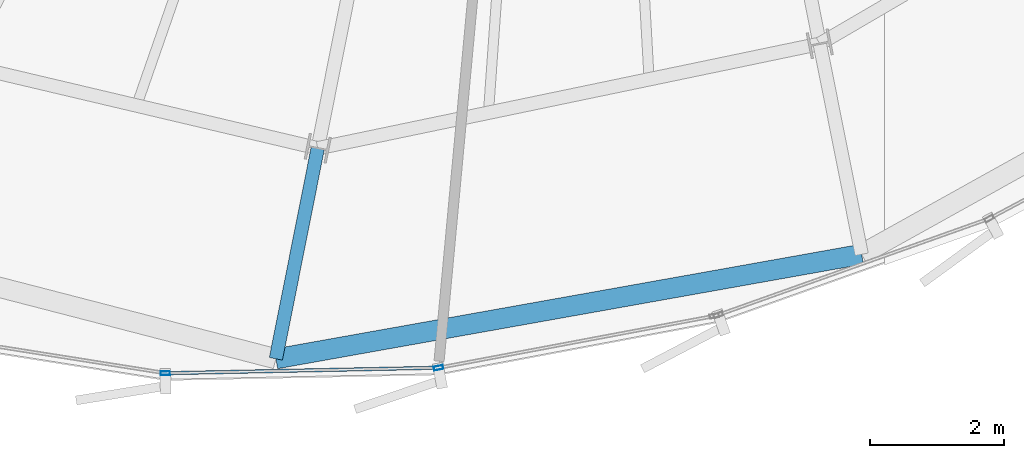
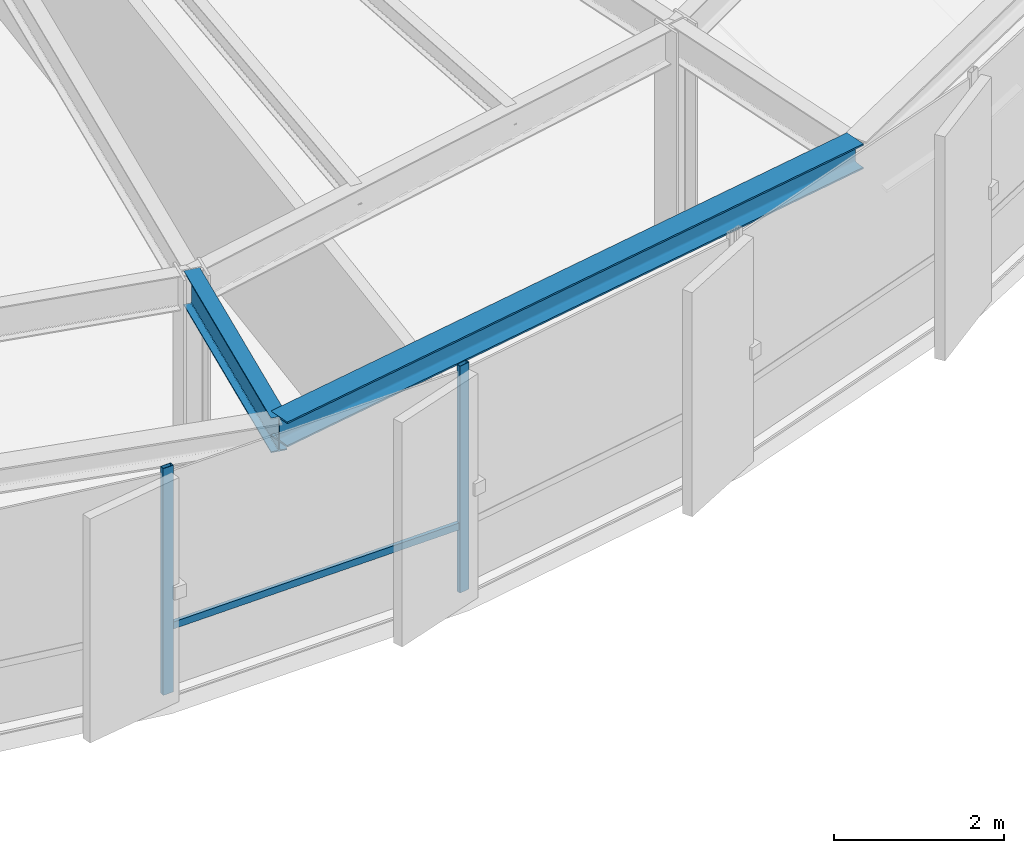
# One storey, part 6 of 36: 3 members, 2 beams, 1 element without a shape of its own.
"""IFC4 building model written with IfcOpenShell, lengths in metres."""

from ifc_helpers import new_model, si_unit, direction, frame, origin, origin_2d, place, context, subcontext, project, spatial, hollow_rectangle, i_section, extrude, source, transform, mapped, material, layer, layer_set, material_profile, profile_set, type_object, element, aggregate, save


model = new_model("IFC4")

# Units and contexts
model_context = context("Model", 3, precision=1e-05, world=origin(), true_north=direction((0.0, 1.0)))
body_context = subcontext(model_context, "Body", "Model", "MODEL_VIEW")
ifc_project = project(units=[si_unit("LENGTHUNIT", "METRE"), si_unit("AREAUNIT", "SQUARE_METRE"), si_unit("VOLUMEUNIT", "CUBIC_METRE"), si_unit("PLANEANGLEUNIT", "RADIAN"), si_unit("MASSUNIT", "GRAM", prefix="KILO"), si_unit("THERMODYNAMICTEMPERATUREUNIT", "KELVIN")], contexts=[model_context])

# Site, building, storey
site_placement = place(None, origin())
site = spatial("IfcSite", under=ifc_project, at=site_placement, CompositionType="ELEMENT")
building_placement = place(site_placement, origin())
building = spatial("IfcBuilding", under=site, at=building_placement, Name="Kethvar Cultural Tower", CompositionType="ELEMENT")
storey_placement = place(building_placement, frame((0.0, 0.0, 197.39990234375)))
storey = spatial("IfcBuildingStorey", under=building, at=storey_placement, Name="L51", CompositionType="ELEMENT", Elevation=197.39990234375)

# Beams
ifc_material_1 = material(Name="Steel S355J2", Category="steel")
ifc_material_profile_1 = material_profile(ifc_material_1, i_section(OverallWidth=0.199951171875, OverallDepth=0.5, WebThickness=0.01025390625, FlangeThickness=0.01611328125, FilletRadius=0.02099609375, at=origin_2d()), Name="Steel S355J2 — IPE500")
ifc_profile_set_1 = profile_set([ifc_material_profile_1], Name="Steel S355J2 — IPE500")
beam_type_1 = type_object("IfcBeamType", Name="BM-IPE500", PredefinedType="BEAM", material=ifc_profile_set_1)
shared_shape_1 = source(origin(), body_context, "Body", "SweptSolid", [
    extrude(i_section(OverallWidth=0.199951171875, OverallDepth=0.5, WebThickness=0.01025390625, FlangeThickness=0.01611328125, FilletRadius=0.02099609375, at=origin_2d()), origin(), (0.0, 0.0, 1.0), 3.199951171875),
])
beam_1_placement = place(storey_placement, frame((42.903564453125, 8.2109375, 3.008056640625), z_axis=(-0.195088965533, -0.980785550224, 0.0), x_axis=(0.980785550224, -0.195088965533, 0.0)))
element("IfcBeam", 1, at=beam_1_placement, inside=storey, type_object=beam_type_1, Name="L51 Perimeter Cantilever Beam RC-12", PredefinedType="BEAM", context=body_context, shape_type="MappedRepresentation", body=[
    mapped(shared_shape_1, transform((0.0, 0.0, 0.0), scale=1.0)),
])
ifc_material_profile_2 = material_profile(ifc_material_1, i_section(OverallWidth=0.300048828125, OverallDepth=0.360107421875, WebThickness=0.012451171875, FlangeThickness=0.0224609375, FilletRadius=0.027099609375, at=origin_2d()), Name="Steel S355J2 — HEB360")
ifc_profile_set_2 = profile_set([ifc_material_profile_2], Name="Steel S355J2 — HEB360")
beam_type_2 = type_object("IfcBeamType", Name="BM-SP360", PredefinedType="SPANDREL", material=ifc_profile_set_2)
shared_shape_2 = source(origin(), body_context, "Body", "SweptSolid", [
    extrude(i_section(OverallWidth=0.300048828125, OverallDepth=0.360107421875, WebThickness=0.012451171875, FlangeThickness=0.0224609375, FilletRadius=0.027099609375, at=origin_2d()), origin(), (0.0, 0.0, 1.0), 8.86962890625),
])
beam_2_placement = place(storey_placement, frame((42.279296875, 5.072509765625, 3.078125), z_axis=(0.984459032332, 0.175614389103, 0.0), x_axis=(-0.175614389103, 0.984459032332, 0.0)))
element("IfcBeam", 2, at=beam_2_placement, inside=storey, type_object=beam_type_2, Name="L51 Perimeter Spandrel Beam SP-12", PredefinedType="SPANDREL", context=body_context, shape_type="MappedRepresentation", body=[
    mapped(shared_shape_2, transform((0.0, 0.0, 0.0), scale=1.0)),
])

# Curtain wall, members
ifc_material_2 = material(Name="Aluminium 6063-T6", Category="aluminium")
ifc_layer = layer(ifc_material_2, 0.179931640625, Name="Aluminium 6063-T6", Category="aluminium")
ifc_layer_set = layer_set([ifc_layer], Name="Aluminium 6063-T6 (180 mm)")
curtain_wall_type = type_object("IfcCurtainWallType", Name="CW-SYS-04-Z34", PredefinedType="NOTDEFINED", material=ifc_layer_set)
curtain_wall_placement = place(storey_placement, origin())
curtain_wall = element("IfcCurtainWall", 3, at=curtain_wall_placement, inside=storey, type_object=curtain_wall_type, Name="L51 Curtain Wall Run 04", PredefinedType="NOTDEFINED")
ifc_material_profile_3 = material_profile(ifc_material_2, hollow_rectangle(XDim=0.06005859375, YDim=0.139892578125, WallThickness=0.0048828125, at=origin_2d()), Name="Aluminium 6063-T6 — RHS140x60x5")
ifc_profile_set_3 = profile_set([ifc_material_profile_3], Name="Aluminium 6063-T6 — RHS140x60x5")
member_type_1 = type_object("IfcMemberType", Name="CW-SYS-04-Z34-MUL", PredefinedType="MULLION", material=ifc_profile_set_3)
shared_shape_3 = source(origin(), body_context, "Body", "SweptSolid", [
    extrude(hollow_rectangle(XDim=0.06005859375, YDim=0.139892578125, WallThickness=0.0048828125, at=origin_2d()), origin(), (0.0, 0.0, 1.0), 3.260009765625),
])
member_1_placement = place(storey_placement, frame((40.630859375, 4.857421875, 0.0), z_axis=(0.0, 0.0, 1.0), x_axis=(-0.020174637336, 0.999796471292, 0.0)))
member_1 = element("IfcMember", 4, at=member_1_placement, type_object=member_type_1, Name="CW-L51-R04 Mullion 5", PredefinedType="MULLION", context=body_context, shape_type="MappedRepresentation", body=[
    mapped(shared_shape_3, transform((0.0, 0.0, 0.0), scale=1.0)),
])
member_2_placement = place(storey_placement, frame((44.702392578125, 4.93798828125, 0.0), z_axis=(0.0, 0.0, 1.0), x_axis=(-0.184706136457, 0.982793794829, 0.0)))
member_2 = element("IfcMember", 5, at=member_2_placement, type_object=member_type_1, Name="CW-L51-R04 Mullion 6", PredefinedType="MULLION", context=body_context, shape_type="MappedRepresentation", body=[
    mapped(shared_shape_3, transform((0.0, 0.0, 0.0), scale=1.0)),
])
ifc_material_profile_4 = material_profile(ifc_material_2, hollow_rectangle(XDim=0.050048828125, YDim=0.10009765625, WallThickness=0.00390625, at=origin_2d()), Name="Aluminium 6063-T6 — RHS100x50x4")
ifc_profile_set_4 = profile_set([ifc_material_profile_4], Name="Aluminium 6063-T6 — RHS100x50x4")
member_type_2 = type_object("IfcMemberType", Name="CW-SYS-04-Z34-TRN", PredefinedType="USERDEFINED", material=ifc_profile_set_4)
shared_shape_4 = source(origin(), body_context, "Body", "SweptSolid", [
    extrude(hollow_rectangle(XDim=0.050048828125, YDim=0.10009765625, WallThickness=0.00390625, at=origin_2d()), origin(), (0.0, 0.0, 1.0), 4.00390625),
])
member_3_placement = place(storey_placement, frame((40.674072265625, 4.858154296875, 0.9501953125), z_axis=(0.999796312446, 0.02018250774, 0.0), x_axis=(-0.02018250774, 0.999796312446, 0.0)))
member_3 = element("IfcMember", 6, at=member_3_placement, type_object=member_type_2, Name="CW-L51-R04 Transom 5", ObjectType="TRANSOM", PredefinedType="USERDEFINED", context=body_context, shape_type="MappedRepresentation", body=[
    mapped(shared_shape_4, transform((0.0, 0.0, 0.0), scale=1.0)),
])
aggregate(curtain_wall, [member_1, member_2, member_3])

save(model, "model.ifc")
